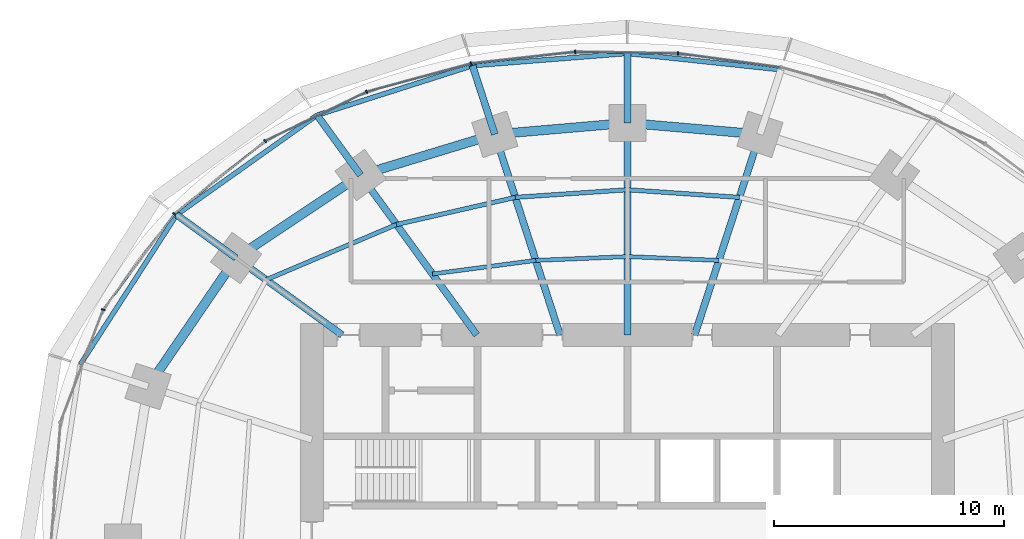
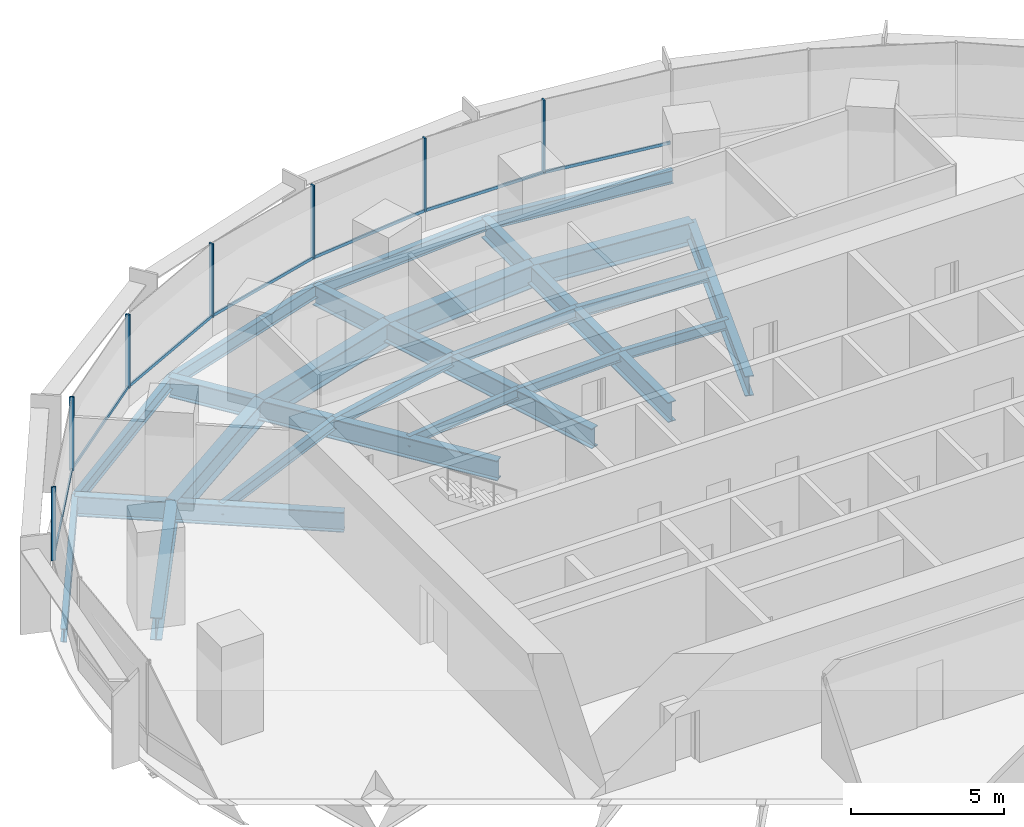
# One storey, part 7 of 14: 26 beams, 14 members, 2 elements without a shape of their own.
"""IFC4 building model written with IfcOpenShell, lengths in metres."""

from ifc_helpers import new_model, si_unit, direction, frame, origin, origin_2d, place, context, subcontext, project, spatial, rectangle, i_section, extrude, material, material_profile, profile_set, type_object, element, aggregate, save


model = new_model("IFC4")

# Units and contexts
model_context = context("Model", 3, precision=1e-05, world=origin(), true_north=direction((0.0, 1.0)))
body_context = subcontext(model_context, "Body", "Model", "MODEL_VIEW")
ifc_project = project(units=[si_unit("LENGTHUNIT", "METRE"), si_unit("AREAUNIT", "SQUARE_METRE"), si_unit("VOLUMEUNIT", "CUBIC_METRE"), si_unit("PLANEANGLEUNIT", "RADIAN"), si_unit("MASSUNIT", "GRAM", prefix="KILO")], contexts=[model_context])

# Site, building, storey
site_placement = place(None, origin())
site = spatial("IfcSite", under=ifc_project, at=site_placement, CompositionType="ELEMENT")
building_placement = place(site_placement, origin())
building = spatial("IfcBuilding", under=site, at=building_placement, Name="Marramba Exchange Tower", CompositionType="ELEMENT")
storey_placement = place(building_placement, frame((0.0, 0.0, 158.699951171875)))
storey = spatial("IfcBuildingStorey", under=building, at=storey_placement, Name="L38", CompositionType="ELEMENT", Elevation=158.699951171875)

# Beams
ifc_material_1 = material(Name="Steel AS/NZS 3679.2 grade 300", Category="steel")
ifc_material_profile_1 = material_profile(ifc_material_1, i_section(OverallWidth=0.300048828125, OverallDepth=0.800048828125, WebThickness=0.013916015625, FlangeThickness=0.031982421875, at=origin_2d()), Name="800WB192")
ifc_profile_set_1 = profile_set([ifc_material_profile_1], Name="Steel AS/NZS 3679.2 grade 300")
beam_type_1 = type_object("IfcBeamType", Name="Cantilever girder 800WB192", PredefinedType="BEAM", material=ifc_profile_set_1)
beam_1_placement = place(storey_placement, frame((0.0, 18.2041015625, -0.56005859375), z_axis=(0.0, 1.0, 0.0), x_axis=(-1.0, 0.0, 0.0)))
element("IfcBeam", 1, at=beam_1_placement, inside=storey, type_object=beam_type_1, Name="Cantilever girder L38 TC06", PredefinedType="BEAM", context=body_context, shape_type="SweptSolid", body=[
    extrude(i_section(OverallWidth=0.300048828125, OverallDepth=0.800048828125, WebThickness=0.013916015625, FlangeThickness=0.031982421875, at=origin_2d()), origin(), (0.0, 0.0, 1.0), 3.01904296875),
])
beam_2_placement = place(storey_placement, frame((-5.75390625, 17.70849609375, -0.56005859375), z_axis=(-0.309028002802, 0.95105293937, 0.0), x_axis=(-0.95105293937, -0.309028002802, 0.0)))
element("IfcBeam", 2, at=beam_2_placement, inside=storey, type_object=beam_type_1, Name="Cantilever girder L38 TC07", PredefinedType="BEAM", context=body_context, shape_type="SweptSolid", body=[
    extrude(i_section(OverallWidth=0.300048828125, OverallDepth=0.800048828125, WebThickness=0.013916015625, FlangeThickness=0.031982421875, at=origin_2d()), origin(), (0.0, 0.0, 1.0), 3.13720703125),
])
beam_3_placement = place(storey_placement, frame((-11.581298828125, 15.9404296875, -0.56005859375), z_axis=(-0.587828447158, 0.808985609706, 0.0), x_axis=(-0.808985609706, -0.587828447158, 0.0)))
element("IfcBeam", 3, at=beam_3_placement, inside=storey, type_object=beam_type_1, Name="Cantilever girder L38 TC08", PredefinedType="BEAM", context=body_context, shape_type="SweptSolid", body=[
    extrude(i_section(OverallWidth=0.300048828125, OverallDepth=0.800048828125, WebThickness=0.013916015625, FlangeThickness=0.031982421875, at=origin_2d()), origin(), (0.0, 0.0, 1.0), 3.214599609375),
])
beam_4_placement = place(storey_placement, frame((-16.98583984375, 12.3408203125, -0.56005859375), z_axis=(-0.809013857915, 0.587789569234, 0.0), x_axis=(-0.587789569234, -0.809013857915, 0.0)))
element("IfcBeam", 4, at=beam_4_placement, inside=storey, type_object=beam_type_1, Name="Cantilever girder L38 TC09", PredefinedType="BEAM", context=body_context, shape_type="SweptSolid", body=[
    extrude(i_section(OverallWidth=0.300048828125, OverallDepth=0.800048828125, WebThickness=0.013916015625, FlangeThickness=0.031982421875, at=origin_2d()), origin(), (0.0, 0.0, 1.0), 3.191650390625),
])
ifc_material_2 = material(Name="Steel AS/NZS 3679.1 grade 300", Category="steel")
ifc_material_profile_2 = material_profile(ifc_material_2, i_section(OverallWidth=0.177978515625, OverallDepth=0.406005859375, WebThickness=0.0078125, FlangeThickness=0.0126953125, FilletRadius=0.011474609375, at=origin_2d()), Name="410UB59.7")
ifc_profile_set_2 = profile_set([ifc_material_profile_2], Name="Steel AS/NZS 3679.1 grade 300")
beam_type_2 = type_object("IfcBeamType", Name="Floor joist 410UB59.7", PredefinedType="JOIST", material=ifc_profile_set_2)
for number, where, z_axis, x_axis, name in (
    (5, (3.975830078125, 12.236083984375, -0.363037109375), (-0.999137002892, 0.041536122257, 0.0), (-0.041536122257, -0.999137002892, 0.0), "Joist L38 bay 05 row 1"),
    (6, (0.0, 12.4013671875, -0.363037109375), (-0.999137002892, -0.041536122257, 0.0), (0.041536122257, -0.999137002892, 0.0), "Joist L38 bay 06 row 1"),
):
    element("IfcBeam", number, at=place(storey_placement, frame(where, z_axis=z_axis, x_axis=x_axis)), inside=storey, type_object=beam_type_2, Name=name, PredefinedType="JOIST", context=body_context, shape_type="SweptSolid", body=[
        extrude(i_section(OverallWidth=0.177978515625, OverallDepth=0.406005859375, WebThickness=0.0078125, FlangeThickness=0.0126953125, FilletRadius=0.011474609375, at=origin_2d()), origin(), (0.0, 0.0, 1.0), 3.979248046875),
    ])
beam_5_placement = place(storey_placement, frame((-3.975830078125, 12.236083984375, -0.363037109375), z_axis=(-0.991480538255, -0.130254912618, 0.0), x_axis=(0.130254912618, -0.991480538255, 0.0)))
element("IfcBeam", 7, at=beam_5_placement, inside=storey, type_object=beam_type_2, Name="Joist L38 bay 07 row 1", PredefinedType="JOIST", context=body_context, shape_type="SweptSolid", body=[
    extrude(i_section(OverallWidth=0.177978515625, OverallDepth=0.406005859375, WebThickness=0.0078125, FlangeThickness=0.0126953125, FilletRadius=0.011474609375, at=origin_2d()), origin(), (0.0, 0.0, 1.0), 4.524658203125),
])
ifc_material_profile_3 = material_profile(ifc_material_2, i_section(OverallWidth=0.18994140625, OverallDepth=0.4541015625, WebThickness=0.008544921875, FlangeThickness=0.0126953125, FilletRadius=0.011474609375, at=origin_2d()), Name="460UB67.1")
ifc_profile_set_3 = profile_set([ifc_material_profile_3], Name="Steel AS/NZS 3679.1 grade 300")
beam_type_3 = type_object("IfcBeamType", Name="Floor joist 460UB67.1", PredefinedType="JOIST", material=ifc_profile_set_3)
for number, where, z_axis, x_axis, name in (
    (8, (4.86474609375, 14.972412109375, -0.386962890625), (-0.997702652202, 0.067745241816, 0.0), (-0.067745241816, -0.997702652202, 0.0), "Joist L38 bay 05 row 2"),
    (9, (0.0, 15.302734375, -0.386962890625), (-0.997702652202, -0.067745241816, 0.0), (0.067745241816, -0.997702652202, 0.0), "Joist L38 bay 06 row 2"),
):
    element("IfcBeam", number, at=place(storey_placement, frame(where, z_axis=z_axis, x_axis=x_axis)), inside=storey, type_object=beam_type_3, Name=name, PredefinedType="JOIST", context=body_context, shape_type="SweptSolid", body=[
        extrude(i_section(OverallWidth=0.18994140625, OverallDepth=0.4541015625, WebThickness=0.008544921875, FlangeThickness=0.0126953125, FilletRadius=0.011474609375, at=origin_2d()), origin(), (0.0, 0.0, 1.0), 4.8759765625),
    ])
beam_6_placement = place(storey_placement, frame((-4.86474609375, 14.972412109375, -0.386962890625), z_axis=(-0.974859652292, -0.222819788916, 0.0), x_axis=(0.222819788916, -0.974859652292, 0.0)))
element("IfcBeam", 10, at=beam_6_placement, inside=storey, type_object=beam_type_3, Name="Joist L38 bay 07 row 2", PredefinedType="JOIST", context=body_context, shape_type="SweptSolid", body=[
    extrude(i_section(OverallWidth=0.18994140625, OverallDepth=0.4541015625, WebThickness=0.008544921875, FlangeThickness=0.0126953125, FilletRadius=0.011474609375, at=origin_2d()), origin(), (0.0, 0.0, 1.0), 5.2900390625),
])
beam_7_placement = place(storey_placement, frame((-10.021728515625, 13.793701171875, -0.386962890625), z_axis=(-0.920674336375, -0.390331610738, 0.0), x_axis=(0.390331610738, -0.920674336375, 0.0)))
element("IfcBeam", 11, at=beam_7_placement, inside=storey, type_object=beam_type_3, Name="Joist L38 bay 08 row 2", PredefinedType="JOIST", context=body_context, shape_type="SweptSolid", body=[
    extrude(i_section(OverallWidth=0.18994140625, OverallDepth=0.4541015625, WebThickness=0.008544921875, FlangeThickness=0.0126953125, FilletRadius=0.011474609375, at=origin_2d()), origin(), (0.0, 0.0, 1.0), 6.1484375),
])

# Curtain wall, members
ifc_material_3 = material(Name="Aluminium framing, bronze anodised", Category="aluminium")
curtain_wall_type = type_object("IfcCurtainWallType", Name="Office ribbon curtain wall", PredefinedType="USERDEFINED", material=ifc_material_3)
curtain_wall_1_placement = place(storey_placement, origin())
curtain_wall_1 = element("IfcCurtainWall", 12, at=curtain_wall_1_placement, inside=storey, type_object=curtain_wall_type, Name="Curtain wall CW4 L38 F06-F10", ObjectType="RIBBON CURTAIN WALL", PredefinedType="USERDEFINED")
ifc_material_4 = material(Name="Aluminium mullion, bronze anodised", Category="aluminium")
ifc_material_profile_4 = material_profile(ifc_material_4, rectangle(XDim=0.159912109375, YDim=0.06005859375, at=origin_2d()), Name="CW4 mullion 60x160")
ifc_profile_set_4 = profile_set([ifc_material_profile_4], Name="Aluminium mullion, bronze anodised")
member_type_1 = type_object("IfcMemberType", Name="Office ribbon curtain wall mullion", PredefinedType="MULLION", material=ifc_profile_set_4)
member_1_placement = place(storey_placement, frame((2.200439453125, 21.2216796875, 0.800048828125), z_axis=(0.0, 0.0, 1.0), x_axis=(-0.01575578169, -0.999875869968, 0.0)))
member_1 = element("IfcMember", 13, at=member_1_placement, type_object=member_type_1, Name="CW4 mullion 1", PredefinedType="MULLION", context=body_context, shape_type="SweptSolid", body=[
    extrude(rectangle(XDim=0.159912109375, YDim=0.06005859375, at=origin_2d()), origin(), (0.0, 0.0, 1.0), 2.93994140625),
])
member_2_placement = place(storey_placement, frame((-2.267578125, 21.288330078125, 0.800048828125), z_axis=(0.0, 0.0, 1.0), x_axis=(0.110973233233, -0.993823395532, 0.0)))
member_2 = element("IfcMember", 14, at=member_2_placement, type_object=member_type_1, Name="CW4 mullion 1", PredefinedType="MULLION", context=body_context, shape_type="SweptSolid", body=[
    extrude(rectangle(XDim=0.159912109375, YDim=0.06005859375, at=origin_2d()), origin(), (0.0, 0.0, 1.0), 2.93994140625),
])
member_3_placement = place(storey_placement, frame((-6.783203125, 20.779541015625, 0.800048828125), z_axis=(0.0, 0.0, 1.0), x_axis=(0.260321294588, -0.965522047176, 0.0)))
member_3 = element("IfcMember", 15, at=member_3_placement, type_object=member_type_1, Name="CW4 mullion 1", PredefinedType="MULLION", context=body_context, shape_type="SweptSolid", body=[
    extrude(rectangle(XDim=0.159912109375, YDim=0.06005859375, at=origin_2d()), origin(), (0.0, 0.0, 1.0), 2.93994140625),
])

curtain_wall_2_placement = place(storey_placement, origin())
curtain_wall_2 = element("IfcCurtainWall", 16, at=curtain_wall_2_placement, inside=storey, type_object=curtain_wall_type, Name="Curtain wall CW4 L38 F11-F15", ObjectType="RIBBON CURTAIN WALL", PredefinedType="USERDEFINED")
member_4_placement = place(storey_placement, frame((-11.32177734375, 19.550048828125, 0.800048828125), z_axis=(0.0, 0.0, 1.0), x_axis=(0.435427626771, -0.900223739881, 0.0)))
member_4 = element("IfcMember", 17, at=member_4_placement, type_object=member_type_1, Name="CW4 mullion 1", PredefinedType="MULLION", context=body_context, shape_type="SweptSolid", body=[
    extrude(rectangle(XDim=0.159912109375, YDim=0.06005859375, at=origin_2d()), origin(), (0.0, 0.0, 1.0), 2.93994140625),
])
member_5_placement = place(storey_placement, frame((-15.720703125, 17.414794921875, 0.800048828125), z_axis=(0.0, 0.0, 1.0), x_axis=(0.624307950145, -0.78117833008, 0.0)))
member_5 = element("IfcMember", 18, at=member_5_placement, type_object=member_type_1, Name="CW4 mullion 1", PredefinedType="MULLION", context=body_context, shape_type="SweptSolid", body=[
    extrude(rectangle(XDim=0.159912109375, YDim=0.06005859375, at=origin_2d()), origin(), (0.0, 0.0, 1.0), 2.93994140625),
])
member_6_placement = place(storey_placement, frame((-19.666748046875, 14.251708984375, 0.800048828125), z_axis=(0.0, 0.0, 1.0), x_axis=(0.80171686484, -0.597703997504, 0.0)))
member_6 = element("IfcMember", 19, at=member_6_placement, type_object=member_type_1, Name="CW4 mullion 1", PredefinedType="MULLION", context=body_context, shape_type="SweptSolid", body=[
    extrude(rectangle(XDim=0.159912109375, YDim=0.06005859375, at=origin_2d()), origin(), (0.0, 0.0, 1.0), 2.93994140625),
])
member_7_placement = place(storey_placement, frame((-22.75341796875, 10.09765625, 0.800048828125), z_axis=(0.0, 0.0, 1.0), x_axis=(0.934925346317, -0.354844468484, 0.0)))
member_7 = element("IfcMember", 20, at=member_7_placement, type_object=member_type_1, Name="CW4 mullion 1", PredefinedType="MULLION", context=body_context, shape_type="SweptSolid", body=[
    extrude(rectangle(XDim=0.159912109375, YDim=0.06005859375, at=origin_2d()), origin(), (0.0, 0.0, 1.0), 2.93994140625),
])

# Member
ifc_material_5 = material(Name="Aluminium transom, bronze anodised", Category="aluminium")
ifc_material_profile_5 = material_profile(ifc_material_5, rectangle(XDim=0.06005859375, YDim=0.1201171875, at=origin_2d()), Name="CW4 transom 60x120")
ifc_profile_set_5 = profile_set([ifc_material_profile_5], Name="Aluminium transom, bronze anodised")
member_type_2 = type_object("IfcMemberType", Name="Office ribbon curtain wall transom", PredefinedType="USERDEFINED", material=ifc_profile_set_5)
member_8_placement = place(storey_placement, frame((6.636962890625, 20.6171875, 0.830078125), z_axis=(-0.990736067897, 0.135801486619, 0.0), x_axis=(-0.135801486619, -0.990736067897, 0.0)))
member_8 = element("IfcMember", 21, at=member_8_placement, type_object=member_type_2, Name="CW4 sill transom", ObjectType="TRANSOM", PredefinedType="USERDEFINED", context=body_context, shape_type="SweptSolid", body=[
    extrude(rectangle(XDim=0.06005859375, YDim=0.1201171875, at=origin_2d()), origin(), (0.0, 0.0, 1.0), 4.44775390625),
])

member_9_placement = place(storey_placement, frame((2.17041015625, 21.22216796875, 0.830078125), z_axis=(-0.999875452363, 0.015782260962, 0.0), x_axis=(-0.015782260962, -0.999875452363, 0.0)))
member_9 = element("IfcMember", 22, at=member_9_placement, type_object=member_type_2, Name="CW4 sill transom", ObjectType="TRANSOM", PredefinedType="USERDEFINED", context=body_context, shape_type="SweptSolid", body=[
    extrude(rectangle(XDim=0.06005859375, YDim=0.1201171875, at=origin_2d()), origin(), (0.0, 0.0, 1.0), 4.40869140625),
])

member_10_placement = place(storey_placement, frame((-2.29736328125, 21.284912109375, 0.830078125), z_axis=(-0.993825837835, -0.110951358943, 0.0), x_axis=(0.110951358943, -0.993825837835, 0.0)))
member_10 = element("IfcMember", 23, at=member_10_placement, type_object=member_type_2, Name="CW4 sill transom", ObjectType="TRANSOM", PredefinedType="USERDEFINED", context=body_context, shape_type="SweptSolid", body=[
    extrude(rectangle(XDim=0.06005859375, YDim=0.1201171875, at=origin_2d()), origin(), (0.0, 0.0, 1.0), 4.484375),
])

member_11_placement = place(storey_placement, frame((-6.812255859375, 20.771728515625, 0.830078125), z_axis=(-0.965511085148, -0.260361948942, 0.0), x_axis=(0.260361948942, -0.965511085148, 0.0)))
member_11 = element("IfcMember", 24, at=member_11_placement, type_object=member_type_2, Name="CW4 sill transom", ObjectType="TRANSOM", PredefinedType="USERDEFINED", context=body_context, shape_type="SweptSolid", body=[
    extrude(rectangle(XDim=0.06005859375, YDim=0.1201171875, at=origin_2d()), origin(), (0.0, 0.0, 1.0), 4.642578125),
])

aggregate(curtain_wall_1, [member_8, member_1, member_9, member_2, member_10, member_3, member_11])

member_12_placement = place(storey_placement, frame((-11.348876953125, 19.536865234375, 0.830078125), z_axis=(-0.900223166385, -0.435428812442, 0.0), x_axis=(0.435428812442, -0.900223166385, 0.0)))
member_12 = element("IfcMember", 25, at=member_12_placement, type_object=member_type_2, Name="CW4 sill transom", ObjectType="TRANSOM", PredefinedType="USERDEFINED", context=body_context, shape_type="SweptSolid", body=[
    extrude(rectangle(XDim=0.06005859375, YDim=0.1201171875, at=origin_2d()), origin(), (0.0, 0.0, 1.0), 4.830322265625),
])

member_13_placement = place(storey_placement, frame((-15.744140625, 17.396240234375, 0.830078125), z_axis=(-0.781164169531, -0.624325668414, 0.0), x_axis=(0.624325668414, -0.781164169531, 0.0)))
member_13 = element("IfcMember", 26, at=member_13_placement, type_object=member_type_2, Name="CW4 sill transom", ObjectType="TRANSOM", PredefinedType="USERDEFINED", context=body_context, shape_type="SweptSolid", body=[
    extrude(rectangle(XDim=0.06005859375, YDim=0.1201171875, at=origin_2d()), origin(), (0.0, 0.0, 1.0), 4.998291015625),
])

member_14_placement = place(storey_placement, frame((-19.6845703125, 14.2275390625, 0.830078125), z_axis=(-0.597714731658, -0.801708862093, 0.0), x_axis=(0.801708862093, -0.597714731658, 0.0)))
member_14 = element("IfcMember", 27, at=member_14_placement, type_object=member_type_2, Name="CW4 sill transom", ObjectType="TRANSOM", PredefinedType="USERDEFINED", context=body_context, shape_type="SweptSolid", body=[
    extrude(rectangle(XDim=0.06005859375, YDim=0.1201171875, at=origin_2d()), origin(), (0.0, 0.0, 1.0), 5.1162109375),
])

aggregate(curtain_wall_2, [member_4, member_12, member_5, member_13, member_6, member_14, member_7])

# Beams
ifc_material_profile_6 = material_profile(ifc_material_1, i_section(OverallWidth=0.300048828125, OverallDepth=0.800048828125, WebThickness=0.013916015625, FlangeThickness=0.031982421875, at=origin_2d()), Name="800WB192")
ifc_profile_set_6 = profile_set([ifc_material_profile_6], Name="Steel AS/NZS 3679.2 grade 300")
beam_type_4 = type_object("IfcBeamType", Name="Radial girder 800WB192", PredefinedType="BEAM", material=ifc_profile_set_6)
beam_8_placement = place(storey_placement, frame((2.92431640625, 9.0, -0.56005859375), z_axis=(0.309019754162, 0.951055619582, 0.0), x_axis=(-0.951055619582, 0.309019754162, 0.0)))
element("IfcBeam", 28, at=beam_8_placement, inside=storey, type_object=beam_type_4, Name="Radial girder L38 TC05", PredefinedType="BEAM", context=body_context, shape_type="SweptSolid", body=[
    extrude(i_section(OverallWidth=0.300048828125, OverallDepth=0.800048828125, WebThickness=0.013916015625, FlangeThickness=0.031982421875, at=origin_2d()), origin(), (0.0, 0.0, 1.0), 9.15673828125),
])
beam_9_placement = place(storey_placement, frame((0.0, 9.0, -0.56005859375), z_axis=(0.0, 1.0, 0.0), x_axis=(-1.0, 0.0, 0.0)))
element("IfcBeam", 29, at=beam_9_placement, inside=storey, type_object=beam_type_4, Name="Radial girder L38 TC06", PredefinedType="BEAM", context=body_context, shape_type="SweptSolid", body=[
    extrude(i_section(OverallWidth=0.300048828125, OverallDepth=0.800048828125, WebThickness=0.013916015625, FlangeThickness=0.031982421875, at=origin_2d()), origin(), (0.0, 0.0, 1.0), 9.2041015625),
])
beam_10_placement = place(storey_placement, frame((-2.92431640625, 9.0, -0.56005859375), z_axis=(-0.309019754162, 0.951055619582, 0.0), x_axis=(-0.951055619582, -0.309019754162, 0.0)))
element("IfcBeam", 30, at=beam_10_placement, inside=storey, type_object=beam_type_4, Name="Radial girder L38 TC07", PredefinedType="BEAM", context=body_context, shape_type="SweptSolid", body=[
    extrude(i_section(OverallWidth=0.300048828125, OverallDepth=0.800048828125, WebThickness=0.013916015625, FlangeThickness=0.031982421875, at=origin_2d()), origin(), (0.0, 0.0, 1.0), 9.15673828125),
])
beam_11_placement = place(storey_placement, frame((-6.538818359375, 9.0, -0.56005859375), z_axis=(-0.587782439969, 0.80901903764, 0.0), x_axis=(-0.80901903764, -0.587782439969, 0.0)))
element("IfcBeam", 31, at=beam_11_placement, inside=storey, type_object=beam_type_4, Name="Radial girder L38 TC08", PredefinedType="BEAM", context=body_context, shape_type="SweptSolid", body=[
    extrude(i_section(OverallWidth=0.300048828125, OverallDepth=0.800048828125, WebThickness=0.013916015625, FlangeThickness=0.031982421875, at=origin_2d()), origin(), (0.0, 0.0, 1.0), 8.578857421875),
])
beam_12_placement = place(storey_placement, frame((-12.387451171875, 9.0, -0.56005859375), z_axis=(-0.809025746925, 0.587773205252, 0.0), x_axis=(-0.587773205252, -0.809025746925, 0.0)))
element("IfcBeam", 32, at=beam_12_placement, inside=storey, type_object=beam_type_4, Name="Radial girder L38 TC09", PredefinedType="BEAM", context=body_context, shape_type="SweptSolid", body=[
    extrude(i_section(OverallWidth=0.300048828125, OverallDepth=0.800048828125, WebThickness=0.013916015625, FlangeThickness=0.031982421875, at=origin_2d()), origin(), (0.0, 0.0, 1.0), 5.683837890625),
])
ifc_material_profile_7 = material_profile(ifc_material_1, i_section(OverallWidth=0.39990234375, OverallDepth=0.89990234375, WebThickness=0.01611328125, FlangeThickness=0.031982421875, at=origin_2d()), Name="900WB282")
ifc_profile_set_7 = profile_set([ifc_material_profile_7], Name="Steel AS/NZS 3679.2 grade 300")
beam_type_5 = type_object("IfcBeamType", Name="Ring beam 900WB282", PredefinedType="SPANDREL", material=ifc_profile_set_7)
for number, where, z_axis, x_axis, name in (
    (33, (5.75390625, 17.70849609375, -0.60986328125), (-0.996311003275, 0.085815993578, 0.0), (-0.085815993578, -0.996311003275, 0.0), "Ring beam L38 TC05-TC06"),
    (34, (0.0, 18.2041015625, -0.60986328125), (-0.996311003275, -0.085815993578, 0.0), (0.085815993578, -0.996311003275, 0.0), "Ring beam L38 TC06-TC07"),
):
    element("IfcBeam", number, at=place(storey_placement, frame(where, z_axis=z_axis, x_axis=x_axis)), inside=storey, type_object=beam_type_5, Name=name, PredefinedType="SPANDREL", context=body_context, shape_type="SweptSolid", body=[
        extrude(i_section(OverallWidth=0.39990234375, OverallDepth=0.89990234375, WebThickness=0.01611328125, FlangeThickness=0.031982421875, at=origin_2d()), origin(), (0.0, 0.0, 1.0), 5.775146484375),
    ])
beam_13_placement = place(storey_placement, frame((-5.75390625, 17.70849609375, -0.60986328125), z_axis=(-0.956924542524, -0.290336735387, 0.0), x_axis=(0.290336735387, -0.956924542524, 0.0)))
element("IfcBeam", 35, at=beam_13_placement, inside=storey, type_object=beam_type_5, Name="Ring beam L38 TC07-TC08", PredefinedType="SPANDREL", context=body_context, shape_type="SweptSolid", body=[
    extrude(i_section(OverallWidth=0.39990234375, OverallDepth=0.89990234375, WebThickness=0.01611328125, FlangeThickness=0.031982421875, at=origin_2d()), origin(), (0.0, 0.0, 1.0), 6.089599609375),
])
beam_14_placement = place(storey_placement, frame((-11.581298828125, 15.9404296875, -0.60986328125), z_axis=(-0.832293151443, -0.554335737673, 0.0), x_axis=(0.554335737673, -0.832293151443, 0.0)))
element("IfcBeam", 36, at=beam_14_placement, inside=storey, type_object=beam_type_5, Name="Ring beam L38 TC08-TC09", PredefinedType="SPANDREL", context=body_context, shape_type="SweptSolid", body=[
    extrude(i_section(OverallWidth=0.39990234375, OverallDepth=0.89990234375, WebThickness=0.01611328125, FlangeThickness=0.031982421875, at=origin_2d()), origin(), (0.0, 0.0, 1.0), 6.49365234375),
])
beam_15_placement = place(storey_placement, frame((-16.98583984375, 12.3408203125, -0.60986328125), z_axis=(-0.56516002054, -0.824981303535, 0.0), x_axis=(0.824981303535, -0.56516002054, 0.0)))
element("IfcBeam", 37, at=beam_15_placement, inside=storey, type_object=beam_type_5, Name="Ring beam L38 TC09-TC10", PredefinedType="SPANDREL", context=body_context, shape_type="SweptSolid", body=[
    extrude(i_section(OverallWidth=0.39990234375, OverallDepth=0.89990234375, WebThickness=0.01611328125, FlangeThickness=0.031982421875, at=origin_2d()), origin(), (0.0, 0.0, 1.0), 6.763671875),
])
ifc_material_profile_8 = material_profile(ifc_material_2, i_section(OverallWidth=0.208984375, OverallDepth=0.528076171875, WebThickness=0.009521484375, FlangeThickness=0.01318359375, FilletRadius=0.013916015625, at=origin_2d()), Name="530UB82.0")
ifc_profile_set_8 = profile_set([ifc_material_profile_8], Name="Steel AS/NZS 3679.1 grade 300")
beam_type_6 = type_object("IfcBeamType", Name="Slab edge beam 530UB82.0", PredefinedType="SPANDREL", material=ifc_profile_set_8)
beam_16_placement = place(storey_placement, frame((6.66552734375, 20.51416015625, -0.424072265625), z_axis=(-0.994390706415, 0.105769196815, 0.0), x_axis=(-0.105769196815, -0.994390706415, 0.0)))
element("IfcBeam", 38, at=beam_16_placement, inside=storey, type_object=beam_type_6, Name="Slab edge beam L38 TC05-TC06", PredefinedType="SPANDREL", context=body_context, shape_type="SweptSolid", body=[
    extrude(i_section(OverallWidth=0.208984375, OverallDepth=0.528076171875, WebThickness=0.009521484375, FlangeThickness=0.01318359375, FilletRadius=0.013916015625, at=origin_2d()), origin(), (0.0, 0.0, 1.0), 6.703125),
])
beam_17_placement = place(storey_placement, frame((0.0, 21.22314453125, -0.424072265625), z_axis=(-0.996895681721, -0.078733726996, 0.0), x_axis=(0.078733726996, -0.996895681721, 0.0)))
element("IfcBeam", 39, at=beam_17_placement, inside=storey, type_object=beam_type_6, Name="Slab edge beam L38 TC06-TC07", PredefinedType="SPANDREL", context=body_context, shape_type="SweptSolid", body=[
    extrude(i_section(OverallWidth=0.208984375, OverallDepth=0.528076171875, WebThickness=0.009521484375, FlangeThickness=0.01318359375, FilletRadius=0.013916015625, at=origin_2d()), origin(), (0.0, 0.0, 1.0), 6.744384765625),
])
beam_18_placement = place(storey_placement, frame((-6.723388671875, 20.692138671875, -0.424072265625), z_axis=(-0.952755400854, -0.303738614839, 0.0), x_axis=(0.303738614839, -0.952755400854, 0.0)))
element("IfcBeam", 40, at=beam_18_placement, inside=storey, type_object=beam_type_6, Name="Slab edge beam L38 TC07-TC08", PredefinedType="SPANDREL", context=body_context, shape_type="SweptSolid", body=[
    extrude(i_section(OverallWidth=0.208984375, OverallDepth=0.528076171875, WebThickness=0.009521484375, FlangeThickness=0.01318359375, FilletRadius=0.013916015625, at=origin_2d()), origin(), (0.0, 0.0, 1.0), 7.08203125),
])
beam_19_placement = place(storey_placement, frame((-13.470947265625, 18.541015625, -0.424072265625), z_axis=(-0.815673202412, -0.578512944425, 0.0), x_axis=(0.578512944425, -0.815673202412, 0.0)))
element("IfcBeam", 41, at=beam_19_placement, inside=storey, type_object=beam_type_6, Name="Slab edge beam L38 TC08-TC09", PredefinedType="SPANDREL", context=body_context, shape_type="SweptSolid", body=[
    extrude(i_section(OverallWidth=0.208984375, OverallDepth=0.528076171875, WebThickness=0.009521484375, FlangeThickness=0.01318359375, FilletRadius=0.013916015625, at=origin_2d()), origin(), (0.0, 0.0, 1.0), 7.474609375),
])
beam_20_placement = place(storey_placement, frame((-19.56787109375, 14.216796875, -0.424072265625), z_axis=(-0.541060886597, -0.840983422544, 0.0), x_axis=(0.840983422544, -0.541060886597, 0.0)))
element("IfcBeam", 42, at=beam_20_placement, inside=storey, type_object=beam_type_6, Name="Slab edge beam L38 TC09-TC10", PredefinedType="SPANDREL", context=body_context, shape_type="SweptSolid", body=[
    extrude(i_section(OverallWidth=0.208984375, OverallDepth=0.528076171875, WebThickness=0.009521484375, FlangeThickness=0.01318359375, FilletRadius=0.013916015625, at=origin_2d()), origin(), (0.0, 0.0, 1.0), 7.72900390625),
])

save(model, "model.ifc")
